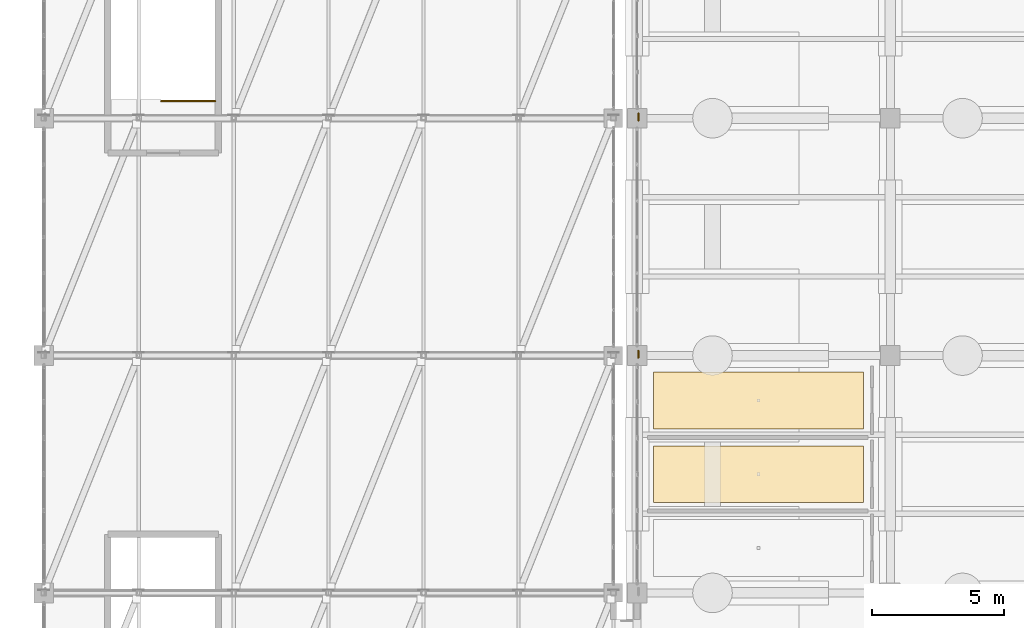
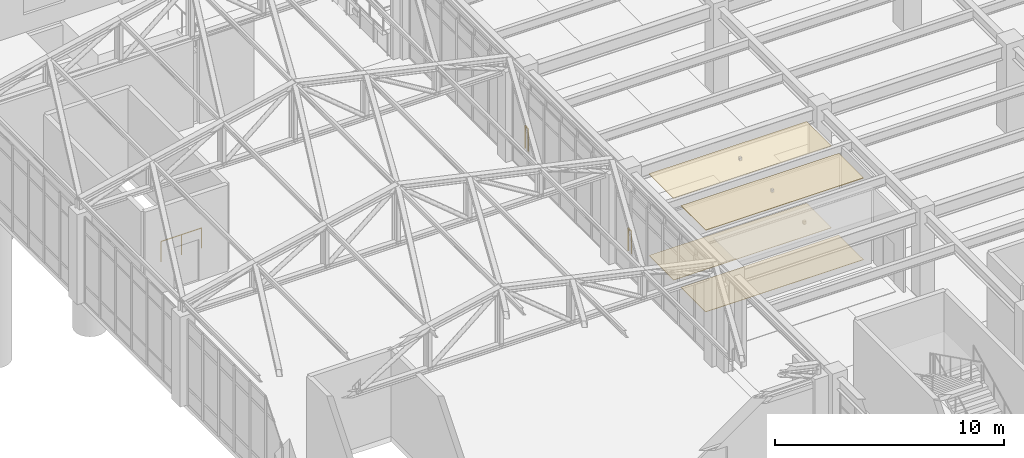
# One storey, part 131 of 139: 4 coverings, 3 railings.
"""IFC4 building model written with IfcOpenShell, lengths in metres."""

from ifc_helpers import new_model, si_unit, direction, frame, origin, origin_2d, place, context, subcontext, project, spatial, polyline, circle, outline, extrude, material, layer, layer_set, type_object, element, save


model = new_model("IFC4")

# Units and contexts
model_context = context("Model", 3, precision=1e-05, world=origin(), true_north=direction((0.0, 1.0)))
body_context = subcontext(model_context, "Body", "Model", "MODEL_VIEW")
ifc_project = project(units=[si_unit("LENGTHUNIT", "METRE"), si_unit("AREAUNIT", "SQUARE_METRE"), si_unit("VOLUMEUNIT", "CUBIC_METRE"), si_unit("PLANEANGLEUNIT", "RADIAN"), si_unit("MASSUNIT", "GRAM", prefix="KILO")], contexts=[model_context])

# Site, building, storey
site_placement = place(None, origin())
site = spatial("IfcSite", under=ifc_project, at=site_placement, CompositionType="ELEMENT")
building_placement = place(site_placement, origin())
building = spatial("IfcBuilding", under=site, at=building_placement, Name="Canglan Escarpment Cableway Terminal", CompositionType="ELEMENT")
storey_placement = place(building_placement, frame((0.0, 0.0, 14.39990234375)))
storey = spatial("IfcBuildingStorey", under=building, at=storey_placement, Name="L03", CompositionType="ELEMENT", Elevation=14.39990234375)

# Coverings
ifc_material_1 = material(Name="Micro-perforated acoustic aluminium ceiling", Category="aluminium")
ifc_layer_1 = layer(ifc_material_1, 0.0400390625, Name="Micro-perforated acoustic aluminium ceiling")
ifc_layer_set_1 = layer_set([ifc_layer_1], Name="Micro-perforated acoustic aluminium ceiling")
covering_type_1 = type_object("IfcCoveringType", Name="COV-CEIL-ACOUSTIC-40", PredefinedType="CEILING", material=ifc_layer_set_1)
covering_1_placement = place(storey_placement, frame((0.0, 0.0, 4.340087890625)))
element("IfcCovering", 1, at=covering_1_placement, inside=storey, type_object=covering_type_1, Name="Female WC suspended acoustic ceiling", PredefinedType="CEILING", context=body_context, shape_type="SweptSolid", body=[
    extrude(outline(polyline([(138.219970703125, 60.360107421875), (138.22021484375, 60.362060546875), (138.220458984375, 60.364013671875), (138.220947265625, 60.36572265625), (138.221435546875, 60.36767578125), (138.222412109375, 60.369384765625), (138.223388671875, 60.37109375), (138.224609375, 60.372802734375), (138.225830078125, 60.3740234375), (138.227294921875, 60.37548828125), (138.22900390625, 60.376708984375), (138.230712890625, 60.377685546875), (138.232421875, 60.37841796875), (138.234130859375, 60.379150390625), (138.236083984375, 60.379638671875), (138.238037109375, 60.3798828125), (138.239990234375, 60.3798828125), (146.159912109375, 60.3798828125), (146.162109375, 60.3798828125), (146.163818359375, 60.379638671875), (146.165771484375, 60.379150390625), (146.167724609375, 60.37841796875), (146.16943359375, 60.377685546875), (146.171142578125, 60.376708984375), (146.172607421875, 60.37548828125), (146.174072265625, 60.3740234375), (146.175537109375, 60.372802734375), (146.176513671875, 60.37109375), (146.177490234375, 60.369384765625), (146.178466796875, 60.36767578125), (146.17919921875, 60.36572265625), (146.1796875, 60.364013671875), (146.179931640625, 60.362060546875), (146.179931640625, 60.360107421875), (146.179931640625, 58.239990234375), (146.179931640625, 58.238037109375), (146.1796875, 58.236083984375), (146.17919921875, 58.234130859375), (146.178466796875, 58.232421875), (146.177490234375, 58.230712890625), (146.176513671875, 58.22900390625), (146.175537109375, 58.227294921875), (146.174072265625, 58.225830078125), (146.172607421875, 58.224609375), (146.171142578125, 58.223388671875), (146.16943359375, 58.222412109375), (146.167724609375, 58.221435546875), (146.165771484375, 58.220947265625), (146.163818359375, 58.220458984375), (146.162109375, 58.22021484375), (146.159912109375, 58.219970703125), (138.239990234375, 58.219970703125), (138.238037109375, 58.22021484375), (138.236083984375, 58.220458984375), (138.234130859375, 58.220947265625), (138.232421875, 58.221435546875), (138.230712890625, 58.222412109375), (138.22900390625, 58.223388671875), (138.227294921875, 58.224609375), (138.225830078125, 58.225830078125), (138.224609375, 58.227294921875), (138.223388671875, 58.22900390625), (138.222412109375, 58.230712890625), (138.221435546875, 58.232421875), (138.220947265625, 58.234130859375), (138.220458984375, 58.236083984375), (138.22021484375, 58.238037109375), (138.219970703125, 58.239990234375), (138.219970703125, 60.360107421875)])), origin(), (0.0, 0.0, 1.0), 0.0400390625),
])
ifc_material_2 = material(Name="Moisture-resistant acoustic gypsum ceiling", Category="gypsum")
ifc_layer_2 = layer(ifc_material_2, 0.030029296875, Name="Moisture-resistant acoustic gypsum ceiling")
ifc_layer_set_2 = layer_set([ifc_layer_2], Name="Moisture-resistant acoustic gypsum ceiling")
covering_type_2 = type_object("IfcCoveringType", Name="COV-CEIL-GYPSUM-30", PredefinedType="CEILING", material=ifc_layer_set_2)
covering_2_placement = place(storey_placement, frame((0.0, 0.0, 4.35009765625)))
element("IfcCovering", 2, at=covering_2_placement, inside=storey, type_object=covering_type_2, Name="Male WC suspended acoustic ceiling", PredefinedType="CEILING", context=body_context, shape_type="SweptSolid", body=[
    extrude(outline(polyline([(138.219970703125, 57.56005859375), (138.22021484375, 57.56201171875), (138.220458984375, 57.56396484375), (138.220947265625, 57.56591796875), (138.221435546875, 57.567626953125), (138.222412109375, 57.5693359375), (138.223388671875, 57.571044921875), (138.224609375, 57.57275390625), (138.225830078125, 57.57421875), (138.227294921875, 57.575439453125), (138.22900390625, 57.57666015625), (138.230712890625, 57.57763671875), (138.232421875, 57.57861328125), (138.234130859375, 57.5791015625), (138.236083984375, 57.57958984375), (138.238037109375, 57.579833984375), (138.239990234375, 57.580078125), (146.159912109375, 57.580078125), (146.162109375, 57.579833984375), (146.163818359375, 57.57958984375), (146.165771484375, 57.5791015625), (146.167724609375, 57.57861328125), (146.16943359375, 57.57763671875), (146.171142578125, 57.57666015625), (146.172607421875, 57.575439453125), (146.174072265625, 57.57421875), (146.175537109375, 57.57275390625), (146.176513671875, 57.571044921875), (146.177490234375, 57.5693359375), (146.178466796875, 57.567626953125), (146.17919921875, 57.56591796875), (146.1796875, 57.56396484375), (146.179931640625, 57.56201171875), (146.179931640625, 57.56005859375), (146.179931640625, 55.43994140625), (146.179931640625, 55.43798828125), (146.1796875, 55.43603515625), (146.17919921875, 55.43408203125), (146.178466796875, 55.432373046875), (146.177490234375, 55.4306640625), (146.176513671875, 55.428955078125), (146.175537109375, 55.42724609375), (146.174072265625, 55.42578125), (146.172607421875, 55.424560546875), (146.171142578125, 55.42333984375), (146.16943359375, 55.42236328125), (146.167724609375, 55.42138671875), (146.165771484375, 55.4208984375), (146.163818359375, 55.42041015625), (146.162109375, 55.420166015625), (146.159912109375, 55.419921875), (138.239990234375, 55.419921875), (138.238037109375, 55.420166015625), (138.236083984375, 55.42041015625), (138.234130859375, 55.4208984375), (138.232421875, 55.42138671875), (138.230712890625, 55.42236328125), (138.22900390625, 55.42333984375), (138.227294921875, 55.424560546875), (138.225830078125, 55.42578125), (138.224609375, 55.42724609375), (138.223388671875, 55.428955078125), (138.222412109375, 55.4306640625), (138.221435546875, 55.432373046875), (138.220947265625, 55.43408203125), (138.220458984375, 55.43603515625), (138.22021484375, 55.43798828125), (138.219970703125, 55.43994140625), (138.219970703125, 57.56005859375)])), origin(), (0.0, 0.0, 1.0), 0.030029296875),
])
ifc_material_3 = material(Name="Polished mineral terrazzo flooring", Category="concrete")
ifc_layer_3 = layer(ifc_material_3, 0.02001953125, Name="Polished mineral terrazzo flooring")
ifc_layer_set_3 = layer_set([ifc_layer_3], Name="Polished mineral terrazzo flooring")
covering_type_3 = type_object("IfcCoveringType", Name="COV-FLR-TERRAZZO-20", PredefinedType="FLOORING", material=ifc_layer_set_3)
covering_3_placement = place(storey_placement, origin())
element("IfcCovering", 3, at=covering_3_placement, inside=storey, type_object=covering_type_3, Name="Male WC stone floor finish", PredefinedType="FLOORING", context=body_context, shape_type="SweptSolid", body=[
    extrude(outline(polyline([(138.219970703125, 57.56005859375), (138.22021484375, 57.56201171875), (138.220458984375, 57.56396484375), (138.220947265625, 57.56591796875), (138.221435546875, 57.567626953125), (138.222412109375, 57.5693359375), (138.223388671875, 57.571044921875), (138.224609375, 57.57275390625), (138.225830078125, 57.57421875), (138.227294921875, 57.575439453125), (138.22900390625, 57.57666015625), (138.230712890625, 57.57763671875), (138.232421875, 57.57861328125), (138.234130859375, 57.5791015625), (138.236083984375, 57.57958984375), (138.238037109375, 57.579833984375), (138.239990234375, 57.580078125), (146.159912109375, 57.580078125), (146.162109375, 57.579833984375), (146.163818359375, 57.57958984375), (146.165771484375, 57.5791015625), (146.167724609375, 57.57861328125), (146.16943359375, 57.57763671875), (146.171142578125, 57.57666015625), (146.172607421875, 57.575439453125), (146.174072265625, 57.57421875), (146.175537109375, 57.57275390625), (146.176513671875, 57.571044921875), (146.177490234375, 57.5693359375), (146.178466796875, 57.567626953125), (146.17919921875, 57.56591796875), (146.1796875, 57.56396484375), (146.179931640625, 57.56201171875), (146.179931640625, 57.56005859375), (146.179931640625, 55.43994140625), (146.179931640625, 55.43798828125), (146.1796875, 55.43603515625), (146.17919921875, 55.43408203125), (146.178466796875, 55.432373046875), (146.177490234375, 55.4306640625), (146.176513671875, 55.428955078125), (146.175537109375, 55.42724609375), (146.174072265625, 55.42578125), (146.172607421875, 55.424560546875), (146.171142578125, 55.42333984375), (146.16943359375, 55.42236328125), (146.167724609375, 55.42138671875), (146.165771484375, 55.4208984375), (146.163818359375, 55.42041015625), (146.162109375, 55.420166015625), (146.159912109375, 55.419921875), (138.239990234375, 55.419921875), (138.238037109375, 55.420166015625), (138.236083984375, 55.42041015625), (138.234130859375, 55.4208984375), (138.232421875, 55.42138671875), (138.230712890625, 55.42236328125), (138.22900390625, 55.42333984375), (138.227294921875, 55.424560546875), (138.225830078125, 55.42578125), (138.224609375, 55.42724609375), (138.223388671875, 55.428955078125), (138.222412109375, 55.4306640625), (138.221435546875, 55.432373046875), (138.220947265625, 55.43408203125), (138.220458984375, 55.43603515625), (138.22021484375, 55.43798828125), (138.219970703125, 55.43994140625), (138.219970703125, 57.56005859375)])), origin(), (0.0, 0.0, 1.0), 0.02001953125),
])
covering_4_placement = place(storey_placement, origin())
element("IfcCovering", 4, at=covering_4_placement, inside=storey, type_object=covering_type_3, Name="Female WC stone floor finish", PredefinedType="FLOORING", context=body_context, shape_type="SweptSolid", body=[
    extrude(outline(polyline([(138.219970703125, 60.360107421875), (138.22021484375, 60.362060546875), (138.220458984375, 60.364013671875), (138.220947265625, 60.36572265625), (138.221435546875, 60.36767578125), (138.222412109375, 60.369384765625), (138.223388671875, 60.37109375), (138.224609375, 60.372802734375), (138.225830078125, 60.3740234375), (138.227294921875, 60.37548828125), (138.22900390625, 60.376708984375), (138.230712890625, 60.377685546875), (138.232421875, 60.37841796875), (138.234130859375, 60.379150390625), (138.236083984375, 60.379638671875), (138.238037109375, 60.3798828125), (138.239990234375, 60.3798828125), (146.159912109375, 60.3798828125), (146.162109375, 60.3798828125), (146.163818359375, 60.379638671875), (146.165771484375, 60.379150390625), (146.167724609375, 60.37841796875), (146.16943359375, 60.377685546875), (146.171142578125, 60.376708984375), (146.172607421875, 60.37548828125), (146.174072265625, 60.3740234375), (146.175537109375, 60.372802734375), (146.176513671875, 60.37109375), (146.177490234375, 60.369384765625), (146.178466796875, 60.36767578125), (146.17919921875, 60.36572265625), (146.1796875, 60.364013671875), (146.179931640625, 60.362060546875), (146.179931640625, 60.360107421875), (146.179931640625, 58.239990234375), (146.179931640625, 58.238037109375), (146.1796875, 58.236083984375), (146.17919921875, 58.234130859375), (146.178466796875, 58.232421875), (146.177490234375, 58.230712890625), (146.176513671875, 58.22900390625), (146.175537109375, 58.227294921875), (146.174072265625, 58.225830078125), (146.172607421875, 58.224609375), (146.171142578125, 58.223388671875), (146.16943359375, 58.222412109375), (146.167724609375, 58.221435546875), (146.165771484375, 58.220947265625), (146.163818359375, 58.220458984375), (146.162109375, 58.22021484375), (146.159912109375, 58.219970703125), (138.239990234375, 58.219970703125), (138.238037109375, 58.22021484375), (138.236083984375, 58.220458984375), (138.234130859375, 58.220947265625), (138.232421875, 58.221435546875), (138.230712890625, 58.222412109375), (138.22900390625, 58.223388671875), (138.227294921875, 58.224609375), (138.225830078125, 58.225830078125), (138.224609375, 58.227294921875), (138.223388671875, 58.22900390625), (138.222412109375, 58.230712890625), (138.221435546875, 58.232421875), (138.220947265625, 58.234130859375), (138.220458984375, 58.236083984375), (138.22021484375, 58.238037109375), (138.219970703125, 58.239990234375), (138.219970703125, 60.360107421875)])), origin(), (0.0, 0.0, 1.0), 0.02001953125),
])

# Railings
ifc_material_4 = material(Name="Carved limestone and anodized bronze balustrade", Category="masonry")
railing_type_1 = type_object("IfcRailingType", Name="RL-EXT-BALUSTRADE-1200", PredefinedType="BALUSTRADE", material=ifc_material_4)
for number, where, name in (
    (5, (137.64990234375, 60.9150390625, 0.0), "Classical terrace balustrade guard GD-01 (L03)"),
    (6, (137.64990234375, 69.9150390625, 0.0), "Classical terrace balustrade guard GD-01 (L03)"),
):
    element("IfcRailing", number, at=place(storey_placement, frame(where)), inside=storey, type_object=railing_type_1, Name=name, PredefinedType="BALUSTRADE", context=body_context, shape_type="SweptSolid", body=[
        extrude(circle(Radius=0.02392578125, at=origin_2d()), frame((0.0, 0.0, 1.17578125), z_axis=(0.0, 1.0, 0.0), x_axis=(-1.0, 0.0, 0.0)), (0.0, 0.0, 1.0), 0.27001953125),
        extrude(circle(Radius=0.02099609375, at=origin_2d()), origin(), (0.0, 0.0, 1.0), 1.15185546875),
        extrude(circle(Radius=0.02099609375, at=origin_2d()), frame((0.0, 0.27001953125, 0.0)), (0.0, 0.0, 1.0), 1.15185546875),
    ])
ifc_material_5 = material(Name="Powder-coated steel stair balustrade", Category="steel")
railing_type_2 = type_object("IfcRailingType", Name="RL-STR-GUARD-1100", PredefinedType="BALUSTRADE", material=ifc_material_5)
railing_placement = place(storey_placement, frame((121.60009765625, 70.64990234375, 0.0)))
element("IfcRailing", 7, at=railing_placement, inside=storey, type_object=railing_type_2, Name="L03 ST-11 top well guard 1", PredefinedType="BALUSTRADE", context=body_context, shape_type="SweptSolid", body=[
    extrude(circle(Radius=0.02392578125, at=origin_2d()), frame((0.0, 0.0, 1.076171875), z_axis=(-1.0, 0.0, 0.0), x_axis=(0.0, -1.0, 0.0)), (0.0, 0.0, 1.0), 2.050048828125),
    extrude(circle(Radius=0.02099609375, at=origin_2d()), origin(), (0.0, 0.0, 1.0), 1.052001953125),
    extrude(circle(Radius=0.02099609375, at=origin_2d()), frame((-1.02490234375, 0.0, 0.0)), (0.0, 0.0, 1.0), 1.052001953125),
    extrude(circle(Radius=0.02099609375, at=origin_2d()), frame((-2.050048828125, 0.0, 0.0)), (0.0, 0.0, 1.0), 1.052001953125),
])

save(model, "model.ifc")
